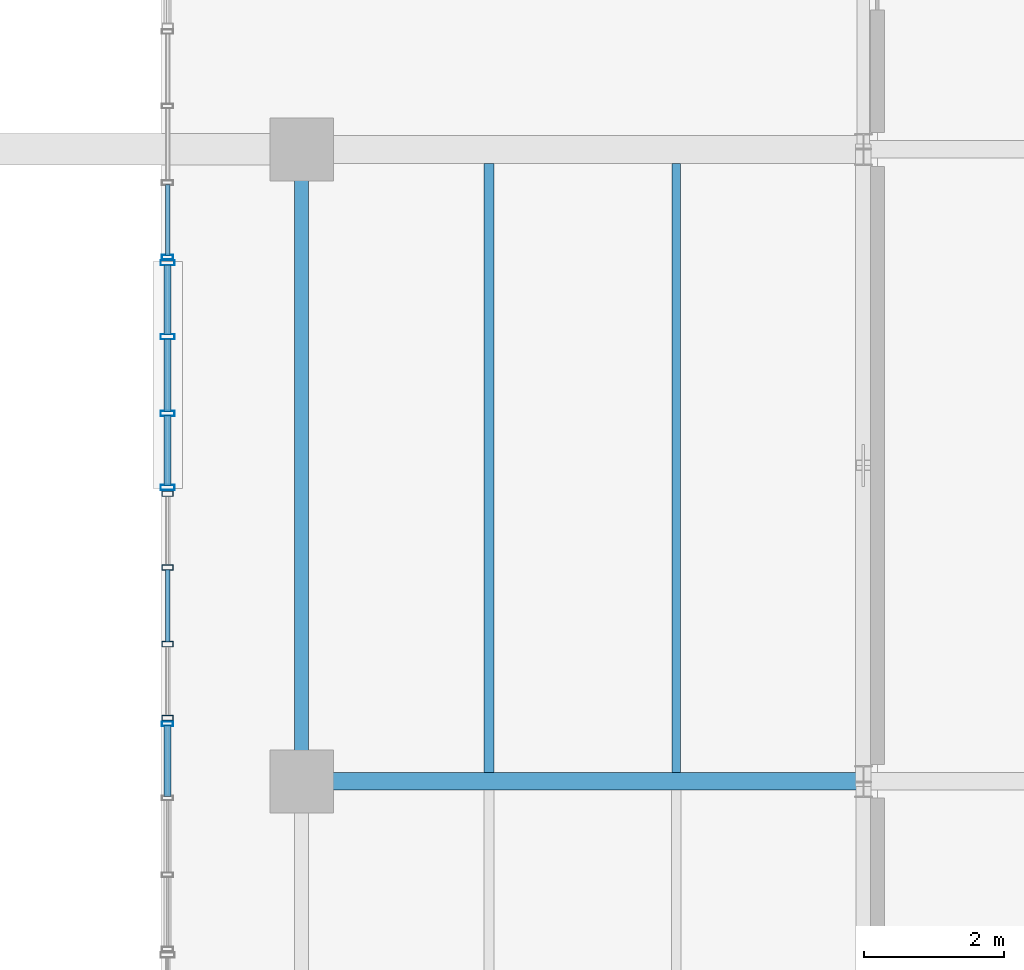
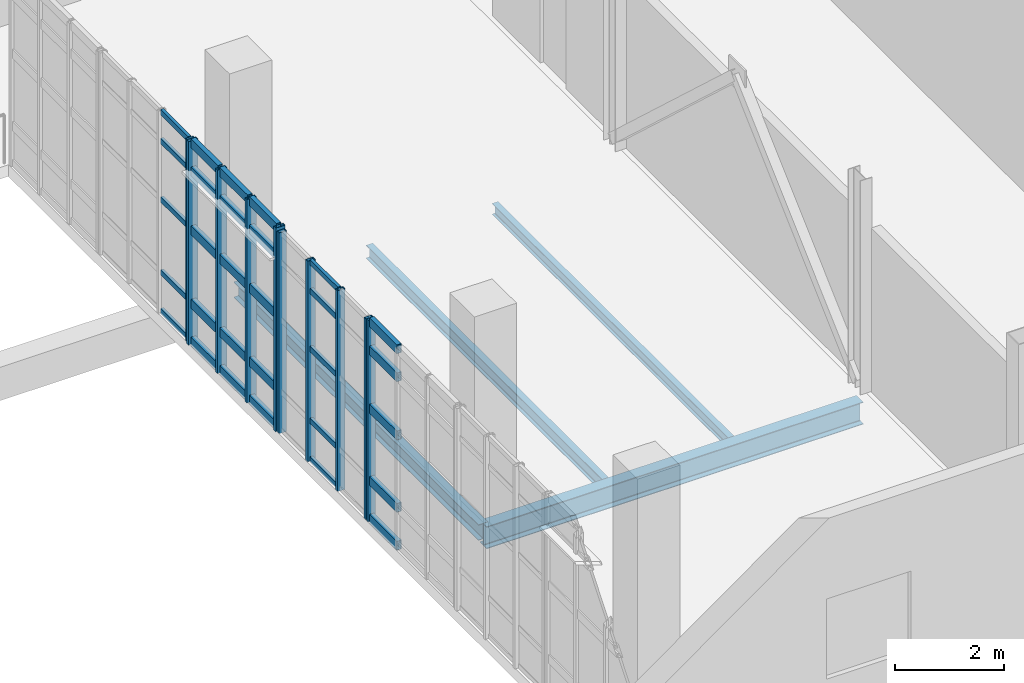
# One storey, part 32 of 102: 40 members, 4 beams, 4 elements without a shape of their own.
"""IFC4 building model written with IfcOpenShell, lengths in metres."""

import ifcopenshell
import ifcopenshell.guid

model = None  # the IFC model being written
_history = None  # IfcOwnerHistory: only IFC2X3 demands one
_inside = {}  # id of a spatial element -> (the spatial element, [elements in it])
_under = {}  # id of a project, library or spatial element -> (it, [spatial elements below it])
_declared = {}  # id of a project -> (the project, [libraries it declares])
_typed = {}  # id of a type object -> (the type object, [elements of that type])
_made_of = {}  # id of a material, layer set ... -> (it, [elements and type objects made of it])


def new_model(schema):
    """Start an empty IFC model of exactly this schema.

    Asked for "IFC4X3", IfcOpenShell would pick the latest addendum, in which some entities
    have other attributes; the version numbers below select the first issue.
    IFC2X3 requires an IfcOwnerHistory on every rooted entity: one is made here for all.
    """
    global model, _history
    if schema == "IFC4X3":
        model = ifcopenshell.file(schema_version=(4, 3, 0, 0))
    else:
        model = ifcopenshell.file(schema=schema)
    _inside.clear()
    _under.clear()
    _declared.clear()
    _typed.clear()
    _made_of.clear()
    _history = None
    if model.schema == "IFC2X3":
        org = make("IfcOrganization", Name="unknown")
        user = make(
            "IfcPersonAndOrganization",
            ThePerson=make("IfcPerson", FamilyName="unknown"),
            TheOrganization=org,
        )
        app = make(
            "IfcApplication",
            ApplicationDeveloper=org,
            Version="unknown",
            ApplicationFullName="unknown",
            ApplicationIdentifier="unknown",
        )
        _history = make(
            "IfcOwnerHistory",
            OwningUser=user,
            OwningApplication=app,
            ChangeAction="ADDED",
            CreationDate=0,
        )
    return model


def make(cls, **values):
    """One entity of the class cls with the attributes given. An attribute that is None is left unset."""
    return model.create_entity(
        cls, **{name: value for name, value in values.items() if value is not None}
    )


def rooted(cls, **values):
    """An entity with a GlobalId (a new one), such as an element, a storey or a relation."""
    return make(cls, GlobalId=ifcopenshell.guid.new(), OwnerHistory=_history, **values)


def si_unit(unit_type, name, prefix=None):
    """IfcSIUnit, for example si_unit("LENGTHUNIT", "METRE", prefix="MILLI")."""
    return make("IfcSIUnit", UnitType=unit_type, Prefix=prefix, Name=name)


def derived_unit(unit_type, elements):
    """IfcDerivedUnit: a product of units, each with its exponent."""
    return make(
        "IfcDerivedUnit",
        Elements=[
            make("IfcDerivedUnitElement", Unit=unit, Exponent=power)
            for unit, power in elements
        ],
        UnitType=unit_type,
    )


def assignment(units):
    """IfcUnitAssignment: the units of a project."""
    return None if units is None else make("IfcUnitAssignment", Units=units)


def point(xyz):
    """IfcCartesianPoint."""
    return None if xyz is None else make("IfcCartesianPoint", Coordinates=xyz)


def direction(xyz):
    """IfcDirection."""
    return None if xyz is None else make("IfcDirection", DirectionRatios=xyz)


def frame(location, z_axis=None, x_axis=None):
    """IfcAxis2Placement3D, a coordinate frame: its origin and axes. An axis left out is left unset."""
    return make(
        "IfcAxis2Placement3D",
        Location=point(location),
        Axis=direction(z_axis),
        RefDirection=direction(x_axis),
    )


def frame_2d(location, x_axis=None):
    """IfcAxis2Placement2D, a coordinate frame in the plane: its origin and x axis."""
    return make(
        "IfcAxis2Placement2D", Location=point(location), RefDirection=direction(x_axis)
    )


def origin():
    """The frame at (0, 0, 0) with its axes left unset."""
    return frame((0.0, 0.0, 0.0))


def origin_2d():
    """The frame at (0, 0) in the plane with its x axis left unset."""
    return frame_2d((0.0, 0.0))


def place(relative_to, where):
    """IfcLocalPlacement: puts the frame where relative to a parent placement (None: the world)."""
    return make(
        "IfcLocalPlacement", PlacementRelTo=relative_to, RelativePlacement=where
    )


def context(
    kind, dimensions, precision=None, world=None, true_north=None, identifier=None
):
    """IfcGeometricRepresentationContext, for example the 3D "Model" context."""
    return make(
        "IfcGeometricRepresentationContext",
        ContextIdentifier=identifier,
        ContextType=kind,
        CoordinateSpaceDimension=dimensions,
        Precision=precision,
        WorldCoordinateSystem=world,
        TrueNorth=true_north,
    )


def subcontext(parent, identifier, kind, view, scale=None):
    """IfcGeometricRepresentationSubContext, for example "Body" below "Model"."""
    return make(
        "IfcGeometricRepresentationSubContext",
        ContextIdentifier=identifier,
        ContextType=kind,
        ParentContext=parent,
        TargetScale=scale,
        TargetView=view,
    )


def project(units=None, contexts=None):
    """IfcProject with its units and contexts."""
    return rooted(
        "IfcProject",
        Name="project",
        RepresentationContexts=contexts,
        UnitsInContext=assignment(units),
    )


def spatial(cls, under=None, at=None, **own):
    """A site, building, storey or space (cls), placed at a placement, below another one or the project."""
    s = rooted(cls, ObjectPlacement=at, **own)
    if under is not None:
        _under.setdefault(under.id(), (under, []))[1].append(s)
    return s


def profile(cls, at=None, kind="AREA", **sizes):
    """A parametric profile (cls). Its sizes go by their IFC names, for example OverallWidth=200.0."""
    return make(cls, ProfileType=kind, Position=at, **sizes)


def hollow_rectangle(**sizes):
    """IfcRectangleHollowProfileDef."""
    return profile("IfcRectangleHollowProfileDef", **sizes)


def i_section(**sizes):
    """IfcIShapeProfileDef."""
    return profile("IfcIShapeProfileDef", **sizes)


def extrude(swept, where, along, depth):
    """IfcExtrudedAreaSolid: the profile swept, set in the frame where, extruded along a direction by depth."""
    return make(
        "IfcExtrudedAreaSolid",
        SweptArea=swept,
        Position=where,
        ExtrudedDirection=direction(along),
        Depth=depth,
    )


def shape(context_of_items, identifier, shape_type, items):
    """IfcShapeRepresentation: the items that make up one representation, for example the "Body"."""
    return make(
        "IfcShapeRepresentation",
        ContextOfItems=context_of_items,
        RepresentationIdentifier=identifier,
        RepresentationType=shape_type,
        Items=items,
    )


def material(Name=None, Category=None):
    """IfcMaterial."""
    return make("IfcMaterial", Name=Name, Category=Category)


def layer(
    of_material, thickness, ventilated=None, Name=None, Category=None, Priority=None
):
    """IfcMaterialLayer: one layer of a wall or slab, of a material (None: an air gap)."""
    return make(
        "IfcMaterialLayer",
        Material=of_material,
        LayerThickness=thickness,
        IsVentilated=ventilated,
        Name=Name,
        Category=Category,
        Priority=Priority,
    )


def layer_set(layers, Name=None):
    """IfcMaterialLayerSet."""
    return make("IfcMaterialLayerSet", MaterialLayers=layers, LayerSetName=Name)


def material_profile(
    of_material, cross_section, Name=None, Category=None, Priority=None
):
    """IfcMaterialProfile: a cross section and its material."""
    return make(
        "IfcMaterialProfile",
        Name=Name,
        Material=of_material,
        Profile=cross_section,
        Priority=Priority,
        Category=Category,
    )


def profile_set(profiles, Name=None, composite=None):
    """IfcMaterialProfileSet."""
    return make(
        "IfcMaterialProfileSet",
        Name=Name,
        MaterialProfiles=profiles,
        CompositeProfile=composite,
    )


def made_of(thing, what):
    """Note that an element or type object is made of a material, layer set ...; save() writes the relation."""
    if what is not None:
        _made_of.setdefault(what.id(), (what, []))[1].append(thing)
    return thing


def type_object(cls, material=None, **own):
    """A type object (cls), such as IfcWallType, which elements share."""
    return made_of(rooted(cls, **own), material)


def element(
    cls,
    number,
    at=None,
    inside=None,
    cuts=None,
    type_object=None,
    material=None,
    context=None,
    identifier="Body",
    shape_type=None,
    held_by="IfcProductDefinitionShape",
    body=None,
    shapes=None,
    **own,
):
    """One element of the class cls, such as IfcWall. Its Tag is "e" and its number.

    at: its placement. inside: the storey or other place that contains it. cuts: it is an
    opening in that element (IfcRelVoidsElement). A single representation is given by context,
    identifier, shape_type and body (its items); several are given by shapes. held_by: the class
    of the entity that holds the representations. save() writes the other relations.
    """
    e = rooted(cls, Tag="e%d" % number, ObjectPlacement=at, **own)
    if body is not None:
        shapes = [shape(context, identifier, shape_type, body)]
    if shapes is not None:
        e.Representation = make(held_by, Representations=shapes)
    if inside is not None:
        _inside.setdefault(inside.id(), (inside, []))[1].append(e)
    if cuts is not None:
        rooted(
            "IfcRelVoidsElement", RelatingBuildingElement=cuts, RelatedOpeningElement=e
        )
    if type_object is not None:
        _typed.setdefault(type_object.id(), (type_object, []))[1].append(e)
    return made_of(e, material)


def aggregate(whole, parts):
    """IfcRelAggregates: a whole, such as a stair, and the parts it consists of."""
    return rooted("IfcRelAggregates", RelatingObject=whole, RelatedObjects=parts)


def save(model, path):
    """Write the relations noted so far, then the file.

    IfcRelAggregates (storeys below a building ...), IfcRelContainedInSpatialStructure (elements
    in a storey), IfcRelDefinesByType, IfcRelAssociatesMaterial and IfcRelDeclares: one each for
    every whole, place, type object, material and project.
    """
    for whole, parts in _under.values():
        aggregate(whole, parts)
    for where, things in _inside.values():
        rooted(
            "IfcRelContainedInSpatialStructure",
            RelatedElements=things,
            RelatingStructure=where,
        )
    for kind, things in _typed.values():
        rooted("IfcRelDefinesByType", RelatedObjects=things, RelatingType=kind)
    for what, things in _made_of.values():
        rooted("IfcRelAssociatesMaterial", RelatedObjects=things, RelatingMaterial=what)
    for by, libraries in _declared.values():
        rooted("IfcRelDeclares", RelatingContext=by, RelatedDefinitions=libraries)
    model.write(path)


model = new_model("IFC4")

# Units and contexts
model_context = context("Model", 3, precision=1e-05, world=origin(), true_north=direction((0.0, 1.0)))
body_context = subcontext(model_context, "Body", "Model", "MODEL_VIEW")
ifc_project = project(units=[si_unit("LENGTHUNIT", "METRE"), si_unit("AREAUNIT", "SQUARE_METRE"), si_unit("VOLUMEUNIT", "CUBIC_METRE"), si_unit("PLANEANGLEUNIT", "RADIAN"), si_unit("MASSUNIT", "GRAM", prefix="KILO"), derived_unit("THERMALTRANSMITTANCEUNIT", [(si_unit("POWERUNIT", "WATT"), 1), (si_unit("LENGTHUNIT", "METRE"), -2), (si_unit("THERMODYNAMICTEMPERATUREUNIT", "KELVIN"), -1)])], contexts=[model_context])

# Site, building, storey
site_placement = place(None, origin())
site = spatial("IfcSite", under=ifc_project, at=site_placement, CompositionType="ELEMENT")
building_placement = place(site_placement, origin())
building = spatial("IfcBuilding", under=site, at=building_placement, Name="Nallur Shell Playhouse", CompositionType="ELEMENT")
storey_placement = place(building_placement, frame((0.0, 0.0, 15.0)))
storey = spatial("IfcBuildingStorey", under=building, at=storey_placement, Name="L04", CompositionType="ELEMENT", Elevation=15.0)

# Beams
ifc_material_1 = material(Name="Steel E250", Category="steel")
ifc_material_profile_1 = material_profile(ifc_material_1, i_section(OverallWidth=0.125, OverallDepth=0.25, WebThickness=0.0068359375, FlangeThickness=0.012451171875, FilletRadius=0.012939453125, at=origin_2d()), Name="ISMB 250")
ifc_profile_set_1 = profile_set([ifc_material_profile_1], Name="Steel E250")
beam_type_1 = type_object("IfcBeamType", Name="BM-JST-ISMB250", PredefinedType="JOIST", material=ifc_profile_set_1)
beam_1_placement = place(storey_placement, frame((61.333251953125, 56.123046875, -0.385009765625), z_axis=(0.0, 1.0, 0.0), x_axis=(-1.0, 0.0, 0.0)))
element("IfcBeam", 1, at=beam_1_placement, inside=storey, type_object=beam_type_1, Name="L04 secondary joist 7-G-910", PredefinedType="JOIST", context=body_context, shape_type="SweptSolid", body=[
    extrude(i_section(OverallWidth=0.125, OverallDepth=0.25, WebThickness=0.0068359375, FlangeThickness=0.012451171875, FilletRadius=0.012939453125, at=origin_2d()), origin(), (0.0, 0.0, 1.0), 8.678955078125),
])
ifc_material_profile_2 = material_profile(ifc_material_1, i_section(OverallWidth=0.139892578125, OverallDepth=0.300048828125, WebThickness=0.0078125, FlangeThickness=0.01318359375, FilletRadius=0.013916015625, at=origin_2d()), Name="ISMB 300")
ifc_profile_set_2 = profile_set([ifc_material_profile_2], Name="Steel E250")
beam_type_2 = type_object("IfcBeamType", Name="BM-JST-ISMB300", PredefinedType="JOIST", material=ifc_profile_set_2)
beam_2_placement = place(storey_placement, frame((58.666748046875, 56.123046875, -0.409912109375), z_axis=(0.0, 1.0, 0.0), x_axis=(-1.0, 0.0, 0.0)))
element("IfcBeam", 2, at=beam_2_placement, inside=storey, type_object=beam_type_2, Name="L04 secondary joist 7-G-909", PredefinedType="JOIST", context=body_context, shape_type="SweptSolid", body=[
    extrude(i_section(OverallWidth=0.139892578125, OverallDepth=0.300048828125, WebThickness=0.0078125, FlangeThickness=0.01318359375, FilletRadius=0.013916015625, at=origin_2d()), origin(), (0.0, 0.0, 1.0), 8.678955078125),
])
ifc_material_2 = material(Name="Steel E350", Category="steel")
ifc_material_profile_3 = material_profile(ifc_material_2, i_section(OverallWidth=0.199951171875, OverallDepth=0.35009765625, WebThickness=0.008056640625, FlangeThickness=0.011474609375, FilletRadius=0.011962890625, at=origin_2d()), Name="ISWB 350")
ifc_profile_set_3 = profile_set([ifc_material_profile_3], Name="Steel E350")
beam_type_3 = type_object("IfcBeamType", Name="BM-ST-ISWB350", PredefinedType="BEAM", material=ifc_profile_set_3)
beam_3_placement = place(storey_placement, frame((56.0, 56.0, -0.43505859375), z_axis=(0.0, 1.0, 0.0), x_axis=(-1.0, 0.0, 0.0)))
element("IfcBeam", 3, at=beam_3_placement, inside=storey, type_object=beam_type_3, Name="L04 girder Y-7-838", PredefinedType="BEAM", context=body_context, shape_type="SweptSolid", body=[
    extrude(i_section(OverallWidth=0.199951171875, OverallDepth=0.35009765625, WebThickness=0.008056640625, FlangeThickness=0.011474609375, FilletRadius=0.011962890625, at=origin_2d()), origin(), (0.0, 0.0, 1.0), 9.0),
])
ifc_material_profile_4 = material_profile(ifc_material_2, i_section(OverallWidth=0.25, OverallDepth=0.5, WebThickness=0.010009765625, FlangeThickness=0.0146484375, FilletRadius=0.014892578125, at=origin_2d()), Name="ISWB 500")
ifc_profile_set_4 = profile_set([ifc_material_profile_4], Name="Steel E350")
beam_type_4 = type_object("IfcBeamType", Name="BM-ST-ISWB500", PredefinedType="BEAM", material=ifc_profile_set_4)
beam_4_placement = place(storey_placement, frame((56.0, 56.0, -0.510009765625), z_axis=(1.0, 0.0, 0.0), x_axis=(0.0, 1.0, 0.0)))
element("IfcBeam", 4, at=beam_4_placement, inside=storey, type_object=beam_type_4, Name="L04 girder X-G-787", PredefinedType="BEAM", context=body_context, shape_type="SweptSolid", body=[
    extrude(i_section(OverallWidth=0.25, OverallDepth=0.5, WebThickness=0.010009765625, FlangeThickness=0.0146484375, FilletRadius=0.014892578125, at=origin_2d()), origin(), (0.0, 0.0, 1.0), 8.0),
])

# Curtain wall, members
ifc_material_3 = material(Name="Anodised Aluminium Double-Glazed Facade System", Category="aluminium")
ifc_layer_1 = layer(ifc_material_3, 0.172119140625)
ifc_layer_set_1 = layer_set([ifc_layer_1], Name="Anodised Aluminium Double-Glazed Facade System")
curtain_wall_type_1 = type_object("IfcCurtainWallType", Name="CW-UNIT-27", PredefinedType="NOTDEFINED", material=ifc_layer_set_1)
curtain_wall_1_placement = place(storey_placement, origin())
curtain_wall_1 = element("IfcCurtainWall", 5, at=curtain_wall_1_placement, inside=storey, type_object=curtain_wall_type_1, Name="Unitised curtain wall CW-155 (L04)", PredefinedType="NOTDEFINED")
ifc_material_4 = material(Name="Aluminium Alloy 6063-T6 Mullion", Category="aluminium")
ifc_material_profile_5 = material_profile(ifc_material_4, hollow_rectangle(XDim=0.080078125, YDim=0.159912109375, WallThickness=0.006103515625, at=origin_2d()), Name="RHS 160x80x6")
ifc_profile_set_5 = profile_set([ifc_material_profile_5], Name="Aluminium Alloy 6063-T6 Mullion")
member_type_1 = type_object("IfcMemberType", Name="MB-CW-MUL150", PredefinedType="MULLION", material=ifc_profile_set_5)
member_1_placement = place(storey_placement, frame((54.090087890625, 56.902099609375, -0.014892578125), z_axis=(0.0, 0.0, 1.0), x_axis=(0.0, 1.0, 0.0)))
member_1 = element("IfcMember", 6, at=member_1_placement, type_object=member_type_1, Name="CW-27 mullion 1", PredefinedType="MULLION", context=body_context, shape_type="SweptSolid", body=[
    extrude(hollow_rectangle(XDim=0.080078125, YDim=0.159912109375, WallThickness=0.006103515625, at=origin_2d()), origin(), (0.0, 0.0, 1.0), 4.5087890625),
])
member_2_placement = place(storey_placement, frame((54.090087890625, 57.9541015625, -0.014892578125), z_axis=(0.0, 0.0, 1.0), x_axis=(0.0, 1.0, 0.0)))
member_2 = element("IfcMember", 7, at=member_2_placement, type_object=member_type_1, Name="CW-27 mullion 2", PredefinedType="MULLION", context=body_context, shape_type="SweptSolid", body=[
    extrude(hollow_rectangle(XDim=0.080078125, YDim=0.159912109375, WallThickness=0.006103515625, at=origin_2d()), origin(), (0.0, 0.0, 1.0), 4.5087890625),
])
member_3_placement = place(storey_placement, frame((54.090087890625, 59.0458984375, -0.014892578125), z_axis=(0.0, 0.0, 1.0), x_axis=(0.0, 1.0, 0.0)))
member_3 = element("IfcMember", 8, at=member_3_placement, type_object=member_type_1, Name="CW-27 mullion 3", PredefinedType="MULLION", context=body_context, shape_type="SweptSolid", body=[
    extrude(hollow_rectangle(XDim=0.080078125, YDim=0.159912109375, WallThickness=0.006103515625, at=origin_2d()), origin(), (0.0, 0.0, 1.0), 4.5087890625),
])
member_4_placement = place(storey_placement, frame((54.090087890625, 60.097900390625, -0.014892578125), z_axis=(0.0, 0.0, 1.0), x_axis=(0.0, 1.0, 0.0)))
member_4 = element("IfcMember", 9, at=member_4_placement, type_object=member_type_1, Name="CW-27 mullion 4", PredefinedType="MULLION", context=body_context, shape_type="SweptSolid", body=[
    extrude(hollow_rectangle(XDim=0.080078125, YDim=0.159912109375, WallThickness=0.006103515625, at=origin_2d()), origin(), (0.0, 0.0, 1.0), 4.5087890625),
])

# Curtain wall, member
ifc_layer_2 = layer(ifc_material_3, 0.16796875)
ifc_layer_set_2 = layer_set([ifc_layer_2], Name="Anodised Aluminium Double-Glazed Facade System")
curtain_wall_type_2 = type_object("IfcCurtainWallType", Name="CW-UNIT-26", PredefinedType="NOTDEFINED", material=ifc_layer_set_2)
curtain_wall_2_placement = place(storey_placement, origin())
curtain_wall_2 = element("IfcCurtainWall", 10, at=curtain_wall_2_placement, inside=storey, type_object=curtain_wall_type_2, Name="Unitised curtain wall CW-154 (L04)", PredefinedType="NOTDEFINED")
ifc_material_profile_6 = material_profile(ifc_material_4, hollow_rectangle(XDim=0.06494140625, YDim=0.159912109375, WallThickness=0.00390625, at=origin_2d()), Name="ALU 65x160x4")
ifc_profile_set_6 = profile_set([ifc_material_profile_6], Name="Aluminium Alloy 6063-T6 Mullion")
member_type_2 = type_object("IfcMemberType", Name="MB-CW-MUL160", PredefinedType="MULLION", material=ifc_profile_set_6)
member_5_placement = place(storey_placement, frame((54.090087890625, 56.819580078125, -0.014892578125), z_axis=(0.0, 0.0, 1.0), x_axis=(0.0, 1.0, 0.0)))
member_5 = element("IfcMember", 11, at=member_5_placement, type_object=member_type_2, Name="CW-26 mullion 4", PredefinedType="MULLION", context=body_context, shape_type="SweptSolid", body=[
    extrude(hollow_rectangle(XDim=0.06494140625, YDim=0.159912109375, WallThickness=0.00390625, at=origin_2d()), origin(), (0.0, 0.0, 1.0), 4.52880859375),
])

ifc_layer_3 = layer(ifc_material_3, 0.179931640625)
ifc_layer_set_3 = layer_set([ifc_layer_3], Name="Anodised Aluminium Double-Glazed Facade System")
curtain_wall_type_3 = type_object("IfcCurtainWallType", Name="CW-UNIT-29", PredefinedType="NOTDEFINED", material=ifc_layer_set_3)
curtain_wall_3_placement = place(storey_placement, origin())
curtain_wall_3 = element("IfcCurtainWall", 12, at=curtain_wall_3_placement, inside=storey, type_object=curtain_wall_type_3, Name="Unitised curtain wall CW-157 (L04)", PredefinedType="NOTDEFINED")
member_6_placement = place(storey_placement, frame((54.090087890625, 63.466064453125, -0.014892578125), z_axis=(0.0, 0.0, 1.0), x_axis=(0.0, 1.0, 0.0)))
member_6 = element("IfcMember", 13, at=member_6_placement, type_object=member_type_2, Name="CW-29 mullion 1", PredefinedType="MULLION", context=body_context, shape_type="SweptSolid", body=[
    extrude(hollow_rectangle(XDim=0.06494140625, YDim=0.159912109375, WallThickness=0.00390625, at=origin_2d()), origin(), (0.0, 0.0, 1.0), 4.548828125),
])

# Curtain wall, members
ifc_layer_4 = layer(ifc_material_3, 0.176025390625)
ifc_layer_set_4 = layer_set([ifc_layer_4], Name="Anodised Aluminium Double-Glazed Facade System")
curtain_wall_type_4 = type_object("IfcCurtainWallType", Name="CW-UNIT-28", PredefinedType="NOTDEFINED", material=ifc_layer_set_4)
curtain_wall_4_placement = place(storey_placement, origin())
curtain_wall_4 = element("IfcCurtainWall", 14, at=curtain_wall_4_placement, inside=storey, type_object=curtain_wall_type_4, Name="Unitised curtain wall CW-156 (L04)", PredefinedType="NOTDEFINED")
ifc_material_profile_7 = material_profile(ifc_material_4, hollow_rectangle(XDim=0.074951171875, YDim=0.199951171875, WallThickness=0.0048828125, at=origin_2d()), Name="ALU 75x200x5")
ifc_profile_set_7 = profile_set([ifc_material_profile_7], Name="Aluminium Alloy 6063-T6 Mullion")
member_type_3 = type_object("IfcMemberType", Name="MB-CW-MUL180", PredefinedType="MULLION", material=ifc_profile_set_7)
member_7_placement = place(storey_placement, frame((54.090087890625, 60.185302734375, -0.014892578125), z_axis=(0.0, 0.0, 1.0), x_axis=(0.0, 1.0, 0.0)))
member_7 = element("IfcMember", 15, at=member_7_placement, type_object=member_type_3, Name="CW-28 mullion 1", PredefinedType="MULLION", context=body_context, shape_type="SweptSolid", body=[
    extrude(hollow_rectangle(XDim=0.074951171875, YDim=0.199951171875, WallThickness=0.0048828125, at=origin_2d()), origin(), (0.0, 0.0, 1.0), 4.56884765625),
])
member_8_placement = place(storey_placement, frame((54.090087890625, 61.23974609375, -0.014892578125), z_axis=(0.0, 0.0, 1.0), x_axis=(0.0, 1.0, 0.0)))
member_8 = element("IfcMember", 16, at=member_8_placement, type_object=member_type_3, Name="CW-28 mullion 2", PredefinedType="MULLION", context=body_context, shape_type="SweptSolid", body=[
    extrude(hollow_rectangle(XDim=0.074951171875, YDim=0.199951171875, WallThickness=0.0048828125, at=origin_2d()), origin(), (0.0, 0.0, 1.0), 4.56884765625),
])
member_9_placement = place(storey_placement, frame((54.090087890625, 62.331787109375, -0.014892578125), z_axis=(0.0, 0.0, 1.0), x_axis=(0.0, 1.0, 0.0)))
member_9 = element("IfcMember", 17, at=member_9_placement, type_object=member_type_3, Name="CW-28 mullion 3", PredefinedType="MULLION", context=body_context, shape_type="SweptSolid", body=[
    extrude(hollow_rectangle(XDim=0.074951171875, YDim=0.199951171875, WallThickness=0.0048828125, at=origin_2d()), origin(), (0.0, 0.0, 1.0), 4.56884765625),
])
member_10_placement = place(storey_placement, frame((54.090087890625, 63.385986328125, -0.014892578125), z_axis=(0.0, 0.0, 1.0), x_axis=(0.0, 1.0, 0.0)))
member_10 = element("IfcMember", 18, at=member_10_placement, type_object=member_type_3, Name="CW-28 mullion 4", PredefinedType="MULLION", context=body_context, shape_type="SweptSolid", body=[
    extrude(hollow_rectangle(XDim=0.074951171875, YDim=0.199951171875, WallThickness=0.0048828125, at=origin_2d()), origin(), (0.0, 0.0, 1.0), 4.56884765625),
])

# Member
ifc_material_5 = material(Name="Aluminium Alloy 6063-T6 Transom", Category="aluminium")
ifc_material_profile_8 = material_profile(ifc_material_5, hollow_rectangle(XDim=0.06494140625, YDim=0.1201171875, WallThickness=0.00390625, at=origin_2d()), Name="ALU 65x120x4")
ifc_profile_set_8 = profile_set([ifc_material_profile_8], Name="Aluminium Alloy 6063-T6 Transom")
member_type_4 = type_object("IfcMemberType", Name="MB-CW-TRN120", PredefinedType="USERDEFINED", material=ifc_profile_set_8)
member_11_placement = place(storey_placement, frame((54.090087890625, 57.986083984375, 0.032470703125), z_axis=(0.0, 1.0, 0.0), x_axis=(-1.0, 0.0, 0.0)))
member_11 = element("IfcMember", 19, at=member_11_placement, type_object=member_type_4, Name="CW-27 transom 2.1", ObjectType="TRANSOM", PredefinedType="USERDEFINED", context=body_context, shape_type="SweptSolid", body=[
    extrude(hollow_rectangle(XDim=0.06494140625, YDim=0.1201171875, WallThickness=0.00390625, at=origin_2d()), origin(), (0.0, 0.0, 1.0), 1.02783203125),
])

member_12_placement = place(storey_placement, frame((54.090087890625, 57.986083984375, 0.89990234375), z_axis=(0.0, 1.0, 0.0), x_axis=(-1.0, 0.0, 0.0)))
member_12 = element("IfcMember", 20, at=member_12_placement, type_object=member_type_4, Name="CW-27 transom 2.2", ObjectType="TRANSOM", PredefinedType="USERDEFINED", context=body_context, shape_type="SweptSolid", body=[
    extrude(hollow_rectangle(XDim=0.06494140625, YDim=0.1201171875, WallThickness=0.00390625, at=origin_2d()), origin(), (0.0, 0.0, 1.0), 1.02783203125),
])

member_13_placement = place(storey_placement, frame((54.090087890625, 57.986083984375, 2.513916015625), z_axis=(0.0, 1.0, 0.0), x_axis=(-1.0, 0.0, 0.0)))
member_13 = element("IfcMember", 21, at=member_13_placement, type_object=member_type_4, Name="CW-27 transom 2.3", ObjectType="TRANSOM", PredefinedType="USERDEFINED", context=body_context, shape_type="SweptSolid", body=[
    extrude(hollow_rectangle(XDim=0.06494140625, YDim=0.1201171875, WallThickness=0.00390625, at=origin_2d()), origin(), (0.0, 0.0, 1.0), 1.02783203125),
])

member_14_placement = place(storey_placement, frame((54.090087890625, 57.986083984375, 3.81005859375), z_axis=(0.0, 1.0, 0.0), x_axis=(-1.0, 0.0, 0.0)))
member_14 = element("IfcMember", 22, at=member_14_placement, type_object=member_type_4, Name="CW-27 transom 2.4", ObjectType="TRANSOM", PredefinedType="USERDEFINED", context=body_context, shape_type="SweptSolid", body=[
    extrude(hollow_rectangle(XDim=0.06494140625, YDim=0.1201171875, WallThickness=0.00390625, at=origin_2d()), origin(), (0.0, 0.0, 1.0), 1.02783203125),
])

member_15_placement = place(storey_placement, frame((54.090087890625, 57.986083984375, 4.45751953125), z_axis=(0.0, 1.0, 0.0), x_axis=(-1.0, 0.0, 0.0)))
member_15 = element("IfcMember", 23, at=member_15_placement, type_object=member_type_4, Name="CW-27 transom 2.5", ObjectType="TRANSOM", PredefinedType="USERDEFINED", context=body_context, shape_type="SweptSolid", body=[
    extrude(hollow_rectangle(XDim=0.06494140625, YDim=0.1201171875, WallThickness=0.00390625, at=origin_2d()), origin(), (0.0, 0.0, 1.0), 1.02783203125),
])

aggregate(curtain_wall_1, [member_1, member_2, member_3, member_4, member_11, member_12, member_13, member_14, member_15])

member_16_placement = place(storey_placement, frame((54.090087890625, 63.490478515625, 0.032470703125), z_axis=(0.0, 1.0, 0.0), x_axis=(-1.0, 0.0, 0.0)))
member_16 = element("IfcMember", 24, at=member_16_placement, type_object=member_type_4, Name="CW-29 transom 1.1", ObjectType="TRANSOM", PredefinedType="USERDEFINED", context=body_context, shape_type="SweptSolid", body=[
    extrude(hollow_rectangle(XDim=0.06494140625, YDim=0.1201171875, WallThickness=0.00390625, at=origin_2d()), origin(), (0.0, 0.0, 1.0), 1.010498046875),
])

member_17_placement = place(storey_placement, frame((54.090087890625, 63.490478515625, 0.89990234375), z_axis=(0.0, 1.0, 0.0), x_axis=(-1.0, 0.0, 0.0)))
member_17 = element("IfcMember", 25, at=member_17_placement, type_object=member_type_4, Name="CW-29 transom 1.2", ObjectType="TRANSOM", PredefinedType="USERDEFINED", context=body_context, shape_type="SweptSolid", body=[
    extrude(hollow_rectangle(XDim=0.06494140625, YDim=0.1201171875, WallThickness=0.00390625, at=origin_2d()), origin(), (0.0, 0.0, 1.0), 1.010498046875),
])

member_18_placement = place(storey_placement, frame((54.090087890625, 63.490478515625, 2.537109375), z_axis=(0.0, 1.0, 0.0), x_axis=(-1.0, 0.0, 0.0)))
member_18 = element("IfcMember", 26, at=member_18_placement, type_object=member_type_4, Name="CW-29 transom 1.3", ObjectType="TRANSOM", PredefinedType="USERDEFINED", context=body_context, shape_type="SweptSolid", body=[
    extrude(hollow_rectangle(XDim=0.06494140625, YDim=0.1201171875, WallThickness=0.00390625, at=origin_2d()), origin(), (0.0, 0.0, 1.0), 1.010498046875),
])

member_19_placement = place(storey_placement, frame((54.090087890625, 63.490478515625, 3.85009765625), z_axis=(0.0, 1.0, 0.0), x_axis=(-1.0, 0.0, 0.0)))
member_19 = element("IfcMember", 27, at=member_19_placement, type_object=member_type_4, Name="CW-29 transom 1.4", ObjectType="TRANSOM", PredefinedType="USERDEFINED", context=body_context, shape_type="SweptSolid", body=[
    extrude(hollow_rectangle(XDim=0.06494140625, YDim=0.1201171875, WallThickness=0.00390625, at=origin_2d()), origin(), (0.0, 0.0, 1.0), 1.010498046875),
])

member_20_placement = place(storey_placement, frame((54.090087890625, 63.490478515625, 4.49755859375), z_axis=(0.0, 1.0, 0.0), x_axis=(-1.0, 0.0, 0.0)))
member_20 = element("IfcMember", 28, at=member_20_placement, type_object=member_type_4, Name="CW-29 transom 1.5", ObjectType="TRANSOM", PredefinedType="USERDEFINED", context=body_context, shape_type="SweptSolid", body=[
    extrude(hollow_rectangle(XDim=0.06494140625, YDim=0.1201171875, WallThickness=0.00390625, at=origin_2d()), origin(), (0.0, 0.0, 1.0), 1.010498046875),
])

aggregate(curtain_wall_3, [member_6, member_16, member_17, member_18, member_19, member_20])

ifc_material_profile_9 = material_profile(ifc_material_5, hollow_rectangle(XDim=0.10009765625, YDim=0.199951171875, WallThickness=0.008056640625, at=origin_2d()), Name="RHS 200x100x8")
ifc_profile_set_9 = profile_set([ifc_material_profile_9], Name="Aluminium Alloy 6063-T6 Transom")
member_type_5 = type_object("IfcMemberType", Name="MB-CW-TRN140", PredefinedType="USERDEFINED", material=ifc_profile_set_9)
member_21_placement = place(storey_placement, frame((54.090087890625, 55.78466796875, 0.050048828125), z_axis=(0.0, 1.0, 0.0), x_axis=(-1.0, 0.0, 0.0)))
member_21 = element("IfcMember", 29, at=member_21_placement, type_object=member_type_5, Name="CW-26 transom 3.1", ObjectType="TRANSOM", PredefinedType="USERDEFINED", context=body_context, shape_type="SweptSolid", body=[
    extrude(hollow_rectangle(XDim=0.10009765625, YDim=0.199951171875, WallThickness=0.008056640625, at=origin_2d()), origin(), (0.0, 0.0, 1.0), 1.010498046875),
])

member_22_placement = place(storey_placement, frame((54.090087890625, 55.78466796875, 0.89990234375), z_axis=(0.0, 1.0, 0.0), x_axis=(-1.0, 0.0, 0.0)))
member_22 = element("IfcMember", 30, at=member_22_placement, type_object=member_type_5, Name="CW-26 transom 3.2", ObjectType="TRANSOM", PredefinedType="USERDEFINED", context=body_context, shape_type="SweptSolid", body=[
    extrude(hollow_rectangle(XDim=0.10009765625, YDim=0.199951171875, WallThickness=0.008056640625, at=origin_2d()), origin(), (0.0, 0.0, 1.0), 1.010498046875),
])

member_23_placement = place(storey_placement, frame((54.090087890625, 55.78466796875, 2.52587890625), z_axis=(0.0, 1.0, 0.0), x_axis=(-1.0, 0.0, 0.0)))
member_23 = element("IfcMember", 31, at=member_23_placement, type_object=member_type_5, Name="CW-26 transom 3.3", ObjectType="TRANSOM", PredefinedType="USERDEFINED", context=body_context, shape_type="SweptSolid", body=[
    extrude(hollow_rectangle(XDim=0.10009765625, YDim=0.199951171875, WallThickness=0.008056640625, at=origin_2d()), origin(), (0.0, 0.0, 1.0), 1.010498046875),
])

member_24_placement = place(storey_placement, frame((54.090087890625, 55.78466796875, 3.830078125), z_axis=(0.0, 1.0, 0.0), x_axis=(-1.0, 0.0, 0.0)))
member_24 = element("IfcMember", 32, at=member_24_placement, type_object=member_type_5, Name="CW-26 transom 3.4", ObjectType="TRANSOM", PredefinedType="USERDEFINED", context=body_context, shape_type="SweptSolid", body=[
    extrude(hollow_rectangle(XDim=0.10009765625, YDim=0.199951171875, WallThickness=0.008056640625, at=origin_2d()), origin(), (0.0, 0.0, 1.0), 1.010498046875),
])

member_25_placement = place(storey_placement, frame((54.090087890625, 55.78466796875, 4.4599609375), z_axis=(0.0, 1.0, 0.0), x_axis=(-1.0, 0.0, 0.0)))
member_25 = element("IfcMember", 33, at=member_25_placement, type_object=member_type_5, Name="CW-26 transom 3.5", ObjectType="TRANSOM", PredefinedType="USERDEFINED", context=body_context, shape_type="SweptSolid", body=[
    extrude(hollow_rectangle(XDim=0.10009765625, YDim=0.199951171875, WallThickness=0.008056640625, at=origin_2d()), origin(), (0.0, 0.0, 1.0), 1.010498046875),
])

aggregate(curtain_wall_2, [member_5, member_21, member_22, member_23, member_24, member_25])

member_26_placement = place(storey_placement, frame((54.090087890625, 60.21484375, 0.050048828125), z_axis=(0.0, 1.0, 0.0), x_axis=(-1.0, 0.0, 0.0)))
member_26 = element("IfcMember", 34, at=member_26_placement, type_object=member_type_5, Name="CW-28 transom 1.1", ObjectType="TRANSOM", PredefinedType="USERDEFINED", context=body_context, shape_type="SweptSolid", body=[
    extrude(hollow_rectangle(XDim=0.10009765625, YDim=0.199951171875, WallThickness=0.008056640625, at=origin_2d()), origin(), (0.0, 0.0, 1.0), 0.995361328125),
])

member_27_placement = place(storey_placement, frame((54.090087890625, 60.21484375, 0.89990234375), z_axis=(0.0, 1.0, 0.0), x_axis=(-1.0, 0.0, 0.0)))
member_27 = element("IfcMember", 35, at=member_27_placement, type_object=member_type_5, Name="CW-28 transom 1.2", ObjectType="TRANSOM", PredefinedType="USERDEFINED", context=body_context, shape_type="SweptSolid", body=[
    extrude(hollow_rectangle(XDim=0.10009765625, YDim=0.199951171875, WallThickness=0.008056640625, at=origin_2d()), origin(), (0.0, 0.0, 1.0), 0.995361328125),
])

member_28_placement = place(storey_placement, frame((54.090087890625, 60.21484375, 2.548095703125), z_axis=(0.0, 1.0, 0.0), x_axis=(-1.0, 0.0, 0.0)))
member_28 = element("IfcMember", 36, at=member_28_placement, type_object=member_type_5, Name="CW-28 transom 1.3", ObjectType="TRANSOM", PredefinedType="USERDEFINED", context=body_context, shape_type="SweptSolid", body=[
    extrude(hollow_rectangle(XDim=0.10009765625, YDim=0.199951171875, WallThickness=0.008056640625, at=origin_2d()), origin(), (0.0, 0.0, 1.0), 0.995361328125),
])

member_29_placement = place(storey_placement, frame((54.090087890625, 60.21484375, 3.8701171875), z_axis=(0.0, 1.0, 0.0), x_axis=(-1.0, 0.0, 0.0)))
member_29 = element("IfcMember", 37, at=member_29_placement, type_object=member_type_5, Name="CW-28 transom 1.4", ObjectType="TRANSOM", PredefinedType="USERDEFINED", context=body_context, shape_type="SweptSolid", body=[
    extrude(hollow_rectangle(XDim=0.10009765625, YDim=0.199951171875, WallThickness=0.008056640625, at=origin_2d()), origin(), (0.0, 0.0, 1.0), 0.995361328125),
])

member_30_placement = place(storey_placement, frame((54.090087890625, 60.21484375, 4.5), z_axis=(0.0, 1.0, 0.0), x_axis=(-1.0, 0.0, 0.0)))
member_30 = element("IfcMember", 38, at=member_30_placement, type_object=member_type_5, Name="CW-28 transom 1.5", ObjectType="TRANSOM", PredefinedType="USERDEFINED", context=body_context, shape_type="SweptSolid", body=[
    extrude(hollow_rectangle(XDim=0.10009765625, YDim=0.199951171875, WallThickness=0.008056640625, at=origin_2d()), origin(), (0.0, 0.0, 1.0), 0.995361328125),
])

member_31_placement = place(storey_placement, frame((54.090087890625, 61.269287109375, 0.050048828125), z_axis=(0.0, 1.0, 0.0), x_axis=(-1.0, 0.0, 0.0)))
member_31 = element("IfcMember", 39, at=member_31_placement, type_object=member_type_5, Name="CW-28 transom 2.1", ObjectType="TRANSOM", PredefinedType="USERDEFINED", context=body_context, shape_type="SweptSolid", body=[
    extrude(hollow_rectangle(XDim=0.10009765625, YDim=0.199951171875, WallThickness=0.008056640625, at=origin_2d()), origin(), (0.0, 0.0, 1.0), 1.032958984375),
])

member_32_placement = place(storey_placement, frame((54.090087890625, 61.269287109375, 0.89990234375), z_axis=(0.0, 1.0, 0.0), x_axis=(-1.0, 0.0, 0.0)))
member_32 = element("IfcMember", 40, at=member_32_placement, type_object=member_type_5, Name="CW-28 transom 2.2", ObjectType="TRANSOM", PredefinedType="USERDEFINED", context=body_context, shape_type="SweptSolid", body=[
    extrude(hollow_rectangle(XDim=0.10009765625, YDim=0.199951171875, WallThickness=0.008056640625, at=origin_2d()), origin(), (0.0, 0.0, 1.0), 1.032958984375),
])

member_33_placement = place(storey_placement, frame((54.090087890625, 61.269287109375, 2.548095703125), z_axis=(0.0, 1.0, 0.0), x_axis=(-1.0, 0.0, 0.0)))
member_33 = element("IfcMember", 41, at=member_33_placement, type_object=member_type_5, Name="CW-28 transom 2.3", ObjectType="TRANSOM", PredefinedType="USERDEFINED", context=body_context, shape_type="SweptSolid", body=[
    extrude(hollow_rectangle(XDim=0.10009765625, YDim=0.199951171875, WallThickness=0.008056640625, at=origin_2d()), origin(), (0.0, 0.0, 1.0), 1.032958984375),
])

member_34_placement = place(storey_placement, frame((54.090087890625, 61.269287109375, 3.8701171875), z_axis=(0.0, 1.0, 0.0), x_axis=(-1.0, 0.0, 0.0)))
member_34 = element("IfcMember", 42, at=member_34_placement, type_object=member_type_5, Name="CW-28 transom 2.4", ObjectType="TRANSOM", PredefinedType="USERDEFINED", context=body_context, shape_type="SweptSolid", body=[
    extrude(hollow_rectangle(XDim=0.10009765625, YDim=0.199951171875, WallThickness=0.008056640625, at=origin_2d()), origin(), (0.0, 0.0, 1.0), 1.032958984375),
])

member_35_placement = place(storey_placement, frame((54.090087890625, 61.269287109375, 4.5), z_axis=(0.0, 1.0, 0.0), x_axis=(-1.0, 0.0, 0.0)))
member_35 = element("IfcMember", 43, at=member_35_placement, type_object=member_type_5, Name="CW-28 transom 2.5", ObjectType="TRANSOM", PredefinedType="USERDEFINED", context=body_context, shape_type="SweptSolid", body=[
    extrude(hollow_rectangle(XDim=0.10009765625, YDim=0.199951171875, WallThickness=0.008056640625, at=origin_2d()), origin(), (0.0, 0.0, 1.0), 1.032958984375),
])

member_36_placement = place(storey_placement, frame((54.090087890625, 62.361083984375, 0.050048828125), z_axis=(0.0, 1.0, 0.0), x_axis=(-1.0, 0.0, 0.0)))
member_36 = element("IfcMember", 44, at=member_36_placement, type_object=member_type_5, Name="CW-28 transom 3.1", ObjectType="TRANSOM", PredefinedType="USERDEFINED", context=body_context, shape_type="SweptSolid", body=[
    extrude(hollow_rectangle(XDim=0.10009765625, YDim=0.199951171875, WallThickness=0.008056640625, at=origin_2d()), origin(), (0.0, 0.0, 1.0), 0.99560546875),
])

member_37_placement = place(storey_placement, frame((54.090087890625, 62.361083984375, 0.89990234375), z_axis=(0.0, 1.0, 0.0), x_axis=(-1.0, 0.0, 0.0)))
member_37 = element("IfcMember", 45, at=member_37_placement, type_object=member_type_5, Name="CW-28 transom 3.2", ObjectType="TRANSOM", PredefinedType="USERDEFINED", context=body_context, shape_type="SweptSolid", body=[
    extrude(hollow_rectangle(XDim=0.10009765625, YDim=0.199951171875, WallThickness=0.008056640625, at=origin_2d()), origin(), (0.0, 0.0, 1.0), 0.99560546875),
])

member_38_placement = place(storey_placement, frame((54.090087890625, 62.361083984375, 2.548095703125), z_axis=(0.0, 1.0, 0.0), x_axis=(-1.0, 0.0, 0.0)))
member_38 = element("IfcMember", 46, at=member_38_placement, type_object=member_type_5, Name="CW-28 transom 3.3", ObjectType="TRANSOM", PredefinedType="USERDEFINED", context=body_context, shape_type="SweptSolid", body=[
    extrude(hollow_rectangle(XDim=0.10009765625, YDim=0.199951171875, WallThickness=0.008056640625, at=origin_2d()), origin(), (0.0, 0.0, 1.0), 0.99560546875),
])

member_39_placement = place(storey_placement, frame((54.090087890625, 62.361083984375, 3.8701171875), z_axis=(0.0, 1.0, 0.0), x_axis=(-1.0, 0.0, 0.0)))
member_39 = element("IfcMember", 47, at=member_39_placement, type_object=member_type_5, Name="CW-28 transom 3.4", ObjectType="TRANSOM", PredefinedType="USERDEFINED", context=body_context, shape_type="SweptSolid", body=[
    extrude(hollow_rectangle(XDim=0.10009765625, YDim=0.199951171875, WallThickness=0.008056640625, at=origin_2d()), origin(), (0.0, 0.0, 1.0), 0.99560546875),
])

member_40_placement = place(storey_placement, frame((54.090087890625, 62.361083984375, 4.5), z_axis=(0.0, 1.0, 0.0), x_axis=(-1.0, 0.0, 0.0)))
member_40 = element("IfcMember", 48, at=member_40_placement, type_object=member_type_5, Name="CW-28 transom 3.5", ObjectType="TRANSOM", PredefinedType="USERDEFINED", context=body_context, shape_type="SweptSolid", body=[
    extrude(hollow_rectangle(XDim=0.10009765625, YDim=0.199951171875, WallThickness=0.008056640625, at=origin_2d()), origin(), (0.0, 0.0, 1.0), 0.99560546875),
])

aggregate(curtain_wall_4, [member_7, member_8, member_9, member_10, member_26, member_27, member_28, member_29, member_30, member_31, member_32, member_33, member_34, member_35, member_36, member_37, member_38, member_39, member_40])

save(model, "model.ifc")
